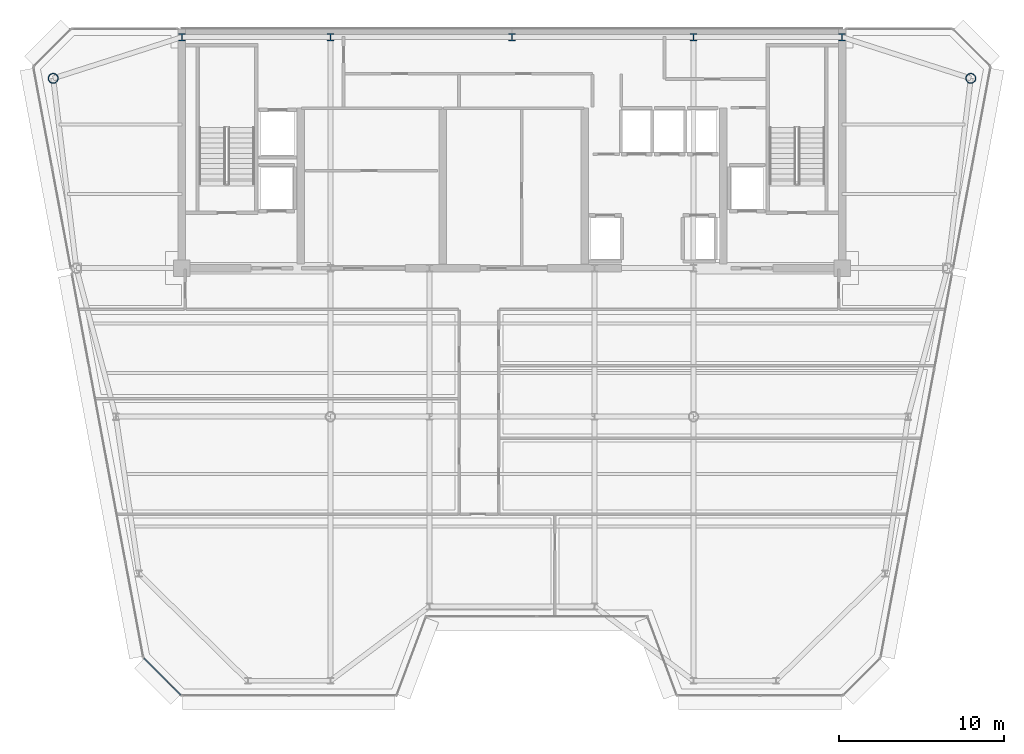
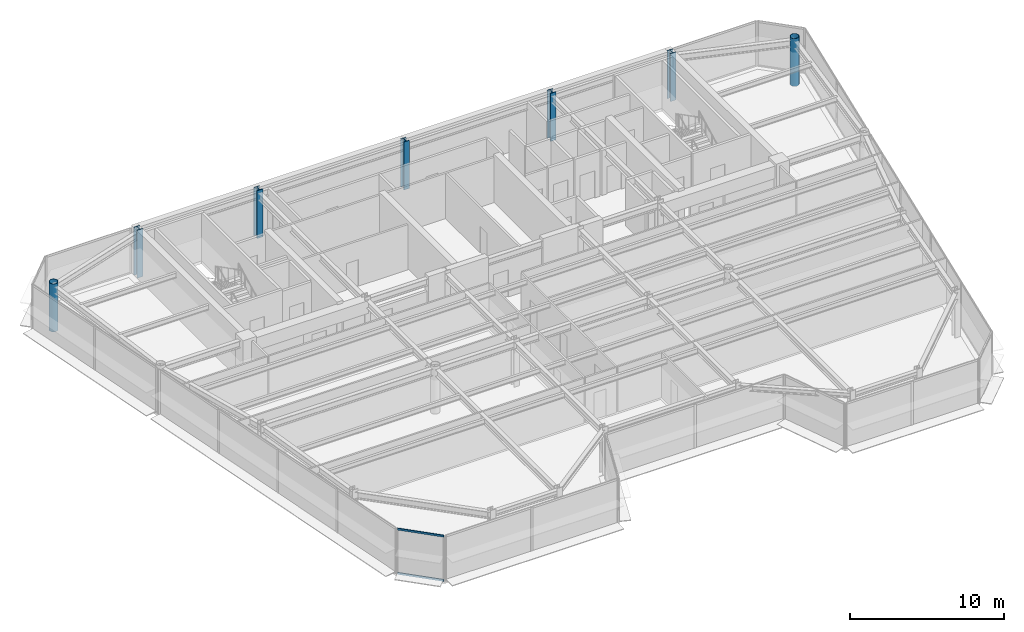
# One storey, part 2 of 18: 7 columns, 2 members, 1 element without a shape of its own.
"""IFC4 building model written with IfcOpenShell, lengths in metres."""

from ifc_helpers import new_model, si_unit, direction, frame, origin, origin_2d, place, context, subcontext, project, spatial, rectangle, hollow_circle, i_section, extrude, source, transform, mapped, material, layer, layer_set, material_profile, profile_set, type_object, element, aggregate, save


model = new_model("IFC4")

# Units and contexts
model_context = context("Model", 3, precision=1e-05, world=origin(), true_north=direction((0.0, 1.0)))
body_context = subcontext(model_context, "Body", "Model", "MODEL_VIEW")
ifc_project = project(units=[si_unit("LENGTHUNIT", "METRE"), si_unit("AREAUNIT", "SQUARE_METRE"), si_unit("VOLUMEUNIT", "CUBIC_METRE"), si_unit("PLANEANGLEUNIT", "RADIAN"), si_unit("MASSUNIT", "GRAM", prefix="KILO")], contexts=[model_context])

# Site, building, storey
site_placement = place(None, origin())
site = spatial("IfcSite", under=ifc_project, at=site_placement, CompositionType="ELEMENT")
building_placement = place(site_placement, origin())
building = spatial("IfcBuilding", under=site, at=building_placement, Name="Vaeldorn Concourse Tower", CompositionType="ELEMENT")
storey_placement = place(building_placement, frame((0.0, 0.0, 261.199951171875)))
storey = spatial("IfcBuildingStorey", under=building, at=storey_placement, Name="L67", CompositionType="ELEMENT", Elevation=261.199951171875)

# Columns
ifc_material_1 = material(Name="Steel S460", Category="steel")
ifc_material_profile_1 = material_profile(ifc_material_1, i_section(OverallWidth=0.41796875, OverallDepth=0.455078125, WebThickness=0.0419921875, FlangeThickness=0.05810546875, FilletRadius=0.014892578125, at=origin_2d()), Name="HD 400x551")
ifc_profile_set_1 = profile_set([ifc_material_profile_1], Name="Steel S460")
column_type_1 = type_object("IfcColumnType", Name="COL-HD551", PredefinedType="COLUMN", material=ifc_profile_set_1)
shared_shape_1 = source(origin(), body_context, "Body", "SweptSolid", [
    extrude(i_section(OverallWidth=0.41796875, OverallDepth=0.455078125, WebThickness=0.0419921875, FlangeThickness=0.05810546875, FilletRadius=0.014892578125, at=origin_2d()), origin(), (0.0, 0.0, 1.0), 3.800048828125),
])
for number, where, z_axis, x_axis, name in (
    (1, (14.0, 50.5, 0.0), (0.0, 0.0, 1.0), (1.0, 0.0, 0.0), "Column C-HC1 L67"),
    (2, (23.0, 50.5, 0.0), (0.0, 0.0, 1.0), (1.0, 0.0, 0.0), "Column C-HC2 L67"),
    (3, (34.0, 50.5, 0.0), (0.0, 0.0, 1.0), (1.0, 0.0, 0.0), "Column C-HC3 L67"),
    (4, (45.0, 50.5, 0.0), (0.0, 0.0, 1.0), (1.0, 0.0, 0.0), "Column C-HC4 L67"),
    (5, (54.0, 50.5, 0.0), (0.0, 0.0, 1.0), (1.0, 0.0, 0.0), "Column C-HC5 L67"),
):
    element("IfcColumn", number, at=place(storey_placement, frame(where, z_axis=z_axis, x_axis=x_axis)), inside=storey, type_object=column_type_1, Name=name, PredefinedType="COLUMN", context=body_context, shape_type="MappedRepresentation", body=[
        mapped(shared_shape_1, transform((0.0, 0.0, 0.0), scale=1.0)),
    ])
ifc_material_2 = material(Name="Steel S355", Category="steel")
ifc_material_profile_2 = material_profile(ifc_material_2, hollow_circle(Radius=0.304931640625, WallThickness=0.030029296875, at=origin_2d()), Name="CHS 610x30")
ifc_profile_set_2 = profile_set([ifc_material_profile_2], Name="Steel S355")
column_type_2 = type_object("IfcColumnType", Name="COL-CHS610", PredefinedType="COLUMN", material=ifc_profile_set_2)
shared_shape_2 = source(origin(), body_context, "Body", "SweptSolid", [
    extrude(hollow_circle(Radius=0.304931640625, WallThickness=0.030029296875, at=origin_2d()), origin(), (0.0, 0.0, 1.0), 3.800048828125),
])
for number, where, z_axis, x_axis, name in (
    (6, (6.199951171875, 48.0, 0.0), (0.0, 0.0, 1.0), (1.0, 0.0, 0.0), "Column C-NW1 L67"),
    (7, (61.800048828125, 48.0, 0.0), (0.0, 0.0, 1.0), (1.0, 0.0, 0.0), "Column C-NE1 L67"),
):
    element("IfcColumn", number, at=place(storey_placement, frame(where, z_axis=z_axis, x_axis=x_axis)), inside=storey, type_object=column_type_2, Name=name, PredefinedType="COLUMN", context=body_context, shape_type="MappedRepresentation", body=[
        mapped(shared_shape_2, transform((0.0, 0.0, 0.0), scale=1.0)),
    ])

# Curtain wall, members
ifc_material_3 = material(Name="Anodised Bronze Aluminium", Category="aluminium")
ifc_layer = layer(ifc_material_3, 0.179931640625)
ifc_layer_set = layer_set([ifc_layer], Name="Anodised Bronze Aluminium")
curtain_wall_type = type_object("IfcCurtainWallType", Name="CW-SYS-05", PredefinedType="NOTDEFINED", material=ifc_layer_set)
curtain_wall_placement = place(storey_placement, origin())
curtain_wall = element("IfcCurtainWall", 8, at=curtain_wall_placement, inside=storey, type_object=curtain_wall_type, Name="Unitised Curtain Wall CW-L67-E12-1", PredefinedType="NOTDEFINED")
ifc_material_profile_3 = material_profile(ifc_material_3, rectangle(XDim=0.06494140625, YDim=0.14990234375, at=origin_2d()), Name="CWT 65x150")
ifc_profile_set_3 = profile_set([ifc_material_profile_3], Name="Anodised Bronze Aluminium")
member_type = type_object("IfcMemberType", Name="CWT-BRONZE-150", PredefinedType="USERDEFINED", material=ifc_profile_set_3)
shared_shape_3 = source(origin(), body_context, "Body", "SweptSolid", [
    extrude(rectangle(XDim=0.06494140625, YDim=0.14990234375, at=origin_2d()), origin(), (0.0, 0.0, 1.0), 3.12255859375),
])
member_1_placement = place(storey_placement, frame((11.7119140625, 12.85400390625, 0.032470703125), z_axis=(0.707106781187, -0.707106781187, 0.0), x_axis=(0.707106781187, 0.707106781187, 0.0)))
member_1 = element("IfcMember", 9, at=member_1_placement, type_object=member_type, Name="CW-05 transom 1.1", ObjectType="TRANSOM", PredefinedType="USERDEFINED", context=body_context, shape_type="MappedRepresentation", body=[
    mapped(shared_shape_3, transform((0.0, 0.0, 0.0), scale=1.0)),
])
member_2_placement = place(storey_placement, frame((11.7119140625, 12.85400390625, 3.547607421875), z_axis=(0.707106781187, -0.707106781187, 0.0), x_axis=(0.707106781187, 0.707106781187, 0.0)))
member_2 = element("IfcMember", 10, at=member_2_placement, type_object=member_type, Name="CW-05 transom 1.2", ObjectType="TRANSOM", PredefinedType="USERDEFINED", context=body_context, shape_type="MappedRepresentation", body=[
    mapped(shared_shape_3, transform((0.0, 0.0, 0.0), scale=1.0)),
])
aggregate(curtain_wall, [member_1, member_2])

save(model, "model.ifc")
